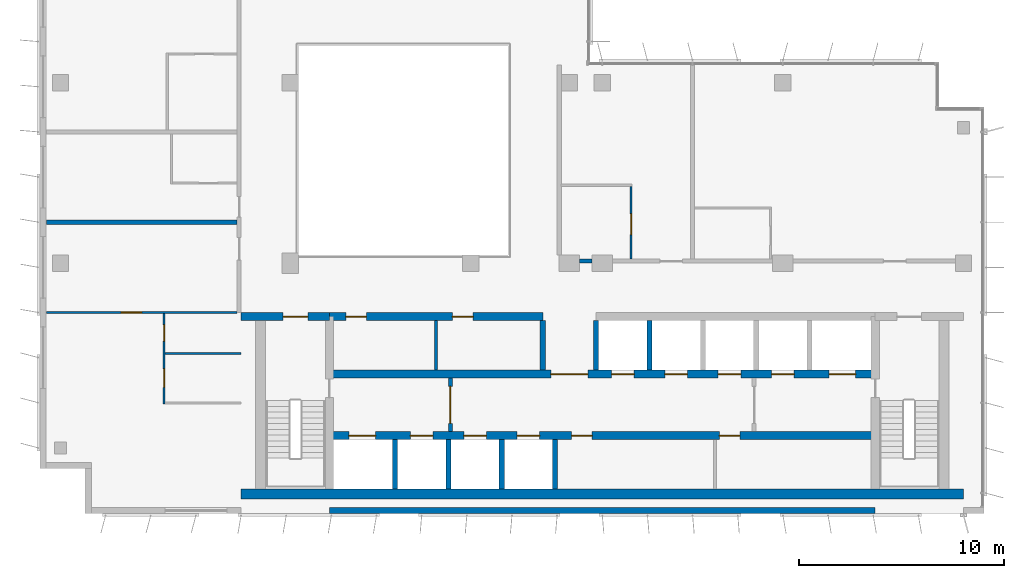
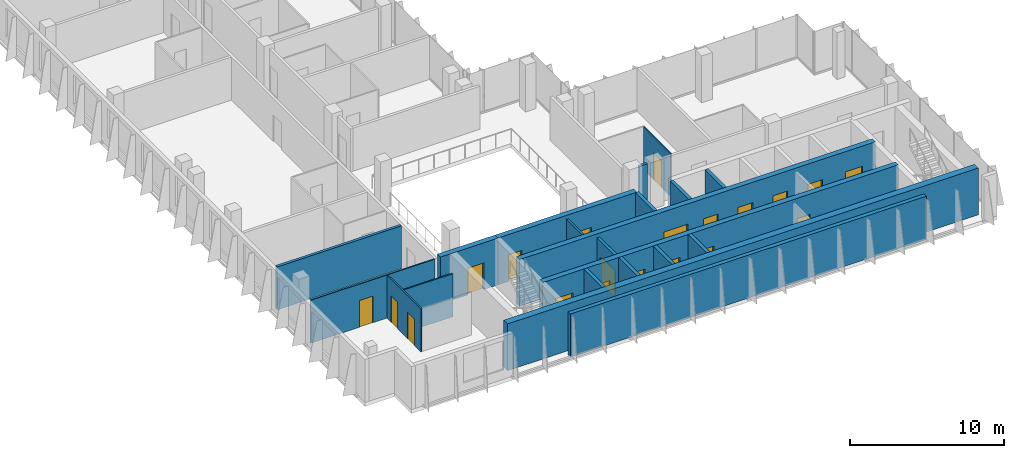
# One storey, part 9 of 15: 21 walls, 20 doors, 20 openings.
"""IFC4 building model written with IfcOpenShell, lengths in metres."""

import ifcopenshell
import ifcopenshell.guid

model = None  # the IFC model being written
_history = None  # IfcOwnerHistory: only IFC2X3 demands one
_inside = {}  # id of a spatial element -> (the spatial element, [elements in it])
_under = {}  # id of a project, library or spatial element -> (it, [spatial elements below it])
_declared = {}  # id of a project -> (the project, [libraries it declares])
_typed = {}  # id of a type object -> (the type object, [elements of that type])
_made_of = {}  # id of a material, layer set ... -> (it, [elements and type objects made of it])


def new_model(schema):
    """Start an empty IFC model of exactly this schema.

    Asked for "IFC4X3", IfcOpenShell would pick the latest addendum, in which some entities
    have other attributes; the version numbers below select the first issue.
    IFC2X3 requires an IfcOwnerHistory on every rooted entity: one is made here for all.
    """
    global model, _history
    if schema == "IFC4X3":
        model = ifcopenshell.file(schema_version=(4, 3, 0, 0))
    else:
        model = ifcopenshell.file(schema=schema)
    _inside.clear()
    _under.clear()
    _declared.clear()
    _typed.clear()
    _made_of.clear()
    _history = None
    if model.schema == "IFC2X3":
        org = make("IfcOrganization", Name="unknown")
        user = make(
            "IfcPersonAndOrganization",
            ThePerson=make("IfcPerson", FamilyName="unknown"),
            TheOrganization=org,
        )
        app = make(
            "IfcApplication",
            ApplicationDeveloper=org,
            Version="unknown",
            ApplicationFullName="unknown",
            ApplicationIdentifier="unknown",
        )
        _history = make(
            "IfcOwnerHistory",
            OwningUser=user,
            OwningApplication=app,
            ChangeAction="ADDED",
            CreationDate=0,
        )
    return model


def make(cls, **values):
    """One entity of the class cls with the attributes given. An attribute that is None is left unset."""
    return model.create_entity(
        cls, **{name: value for name, value in values.items() if value is not None}
    )


def rooted(cls, **values):
    """An entity with a GlobalId (a new one), such as an element, a storey or a relation."""
    return make(cls, GlobalId=ifcopenshell.guid.new(), OwnerHistory=_history, **values)


def si_unit(unit_type, name, prefix=None):
    """IfcSIUnit, for example si_unit("LENGTHUNIT", "METRE", prefix="MILLI")."""
    return make("IfcSIUnit", UnitType=unit_type, Prefix=prefix, Name=name)


def assignment(units):
    """IfcUnitAssignment: the units of a project."""
    return None if units is None else make("IfcUnitAssignment", Units=units)


def point(xyz):
    """IfcCartesianPoint."""
    return None if xyz is None else make("IfcCartesianPoint", Coordinates=xyz)


def direction(xyz):
    """IfcDirection."""
    return None if xyz is None else make("IfcDirection", DirectionRatios=xyz)


def frame(location, z_axis=None, x_axis=None):
    """IfcAxis2Placement3D, a coordinate frame: its origin and axes. An axis left out is left unset."""
    return make(
        "IfcAxis2Placement3D",
        Location=point(location),
        Axis=direction(z_axis),
        RefDirection=direction(x_axis),
    )


def frame_2d(location, x_axis=None):
    """IfcAxis2Placement2D, a coordinate frame in the plane: its origin and x axis."""
    return make(
        "IfcAxis2Placement2D", Location=point(location), RefDirection=direction(x_axis)
    )


def origin():
    """The frame at (0, 0, 0) with its axes left unset."""
    return frame((0.0, 0.0, 0.0))


def place(relative_to, where):
    """IfcLocalPlacement: puts the frame where relative to a parent placement (None: the world)."""
    return make(
        "IfcLocalPlacement", PlacementRelTo=relative_to, RelativePlacement=where
    )


def context(
    kind, dimensions, precision=None, world=None, true_north=None, identifier=None
):
    """IfcGeometricRepresentationContext, for example the 3D "Model" context."""
    return make(
        "IfcGeometricRepresentationContext",
        ContextIdentifier=identifier,
        ContextType=kind,
        CoordinateSpaceDimension=dimensions,
        Precision=precision,
        WorldCoordinateSystem=world,
        TrueNorth=true_north,
    )


def subcontext(parent, identifier, kind, view, scale=None):
    """IfcGeometricRepresentationSubContext, for example "Body" below "Model"."""
    return make(
        "IfcGeometricRepresentationSubContext",
        ContextIdentifier=identifier,
        ContextType=kind,
        ParentContext=parent,
        TargetScale=scale,
        TargetView=view,
    )


def project(units=None, contexts=None):
    """IfcProject with its units and contexts."""
    return rooted(
        "IfcProject",
        Name="project",
        RepresentationContexts=contexts,
        UnitsInContext=assignment(units),
    )


def spatial(cls, under=None, at=None, **own):
    """A site, building, storey or space (cls), placed at a placement, below another one or the project."""
    s = rooted(cls, ObjectPlacement=at, **own)
    if under is not None:
        _under.setdefault(under.id(), (under, []))[1].append(s)
    return s


def profile(cls, at=None, kind="AREA", **sizes):
    """A parametric profile (cls). Its sizes go by their IFC names, for example OverallWidth=200.0."""
    return make(cls, ProfileType=kind, Position=at, **sizes)


def rectangle(**sizes):
    """IfcRectangleProfileDef."""
    return profile("IfcRectangleProfileDef", **sizes)


def extrude(swept, where, along, depth):
    """IfcExtrudedAreaSolid: the profile swept, set in the frame where, extruded along a direction by depth."""
    return make(
        "IfcExtrudedAreaSolid",
        SweptArea=swept,
        Position=where,
        ExtrudedDirection=direction(along),
        Depth=depth,
    )


def shape(context_of_items, identifier, shape_type, items):
    """IfcShapeRepresentation: the items that make up one representation, for example the "Body"."""
    return make(
        "IfcShapeRepresentation",
        ContextOfItems=context_of_items,
        RepresentationIdentifier=identifier,
        RepresentationType=shape_type,
        Items=items,
    )


def material(Name=None, Category=None):
    """IfcMaterial."""
    return make("IfcMaterial", Name=Name, Category=Category)


def layer(
    of_material, thickness, ventilated=None, Name=None, Category=None, Priority=None
):
    """IfcMaterialLayer: one layer of a wall or slab, of a material (None: an air gap)."""
    return make(
        "IfcMaterialLayer",
        Material=of_material,
        LayerThickness=thickness,
        IsVentilated=ventilated,
        Name=Name,
        Category=Category,
        Priority=Priority,
    )


def layer_set(layers, Name=None):
    """IfcMaterialLayerSet."""
    return make("IfcMaterialLayerSet", MaterialLayers=layers, LayerSetName=Name)


def made_of(thing, what):
    """Note that an element or type object is made of a material, layer set ...; save() writes the relation."""
    if what is not None:
        _made_of.setdefault(what.id(), (what, []))[1].append(thing)
    return thing


def type_object(cls, material=None, **own):
    """A type object (cls), such as IfcWallType, which elements share."""
    return made_of(rooted(cls, **own), material)


def element(
    cls,
    number,
    at=None,
    inside=None,
    cuts=None,
    type_object=None,
    material=None,
    context=None,
    identifier="Body",
    shape_type=None,
    held_by="IfcProductDefinitionShape",
    body=None,
    shapes=None,
    **own,
):
    """One element of the class cls, such as IfcWall. Its Tag is "e" and its number.

    at: its placement. inside: the storey or other place that contains it. cuts: it is an
    opening in that element (IfcRelVoidsElement). A single representation is given by context,
    identifier, shape_type and body (its items); several are given by shapes. held_by: the class
    of the entity that holds the representations. save() writes the other relations.
    """
    e = rooted(cls, Tag="e%d" % number, ObjectPlacement=at, **own)
    if body is not None:
        shapes = [shape(context, identifier, shape_type, body)]
    if shapes is not None:
        e.Representation = make(held_by, Representations=shapes)
    if inside is not None:
        _inside.setdefault(inside.id(), (inside, []))[1].append(e)
    if cuts is not None:
        rooted(
            "IfcRelVoidsElement", RelatingBuildingElement=cuts, RelatedOpeningElement=e
        )
    if type_object is not None:
        _typed.setdefault(type_object.id(), (type_object, []))[1].append(e)
    return made_of(e, material)


def fill(opening, filler):
    """IfcRelFillsElement: the door or window that sits in an opening."""
    return rooted(
        "IfcRelFillsElement",
        RelatingOpeningElement=opening,
        RelatedBuildingElement=filler,
    )


def aggregate(whole, parts):
    """IfcRelAggregates: a whole, such as a stair, and the parts it consists of."""
    return rooted("IfcRelAggregates", RelatingObject=whole, RelatedObjects=parts)


def save(model, path):
    """Write the relations noted so far, then the file.

    IfcRelAggregates (storeys below a building ...), IfcRelContainedInSpatialStructure (elements
    in a storey), IfcRelDefinesByType, IfcRelAssociatesMaterial and IfcRelDeclares: one each for
    every whole, place, type object, material and project.
    """
    for whole, parts in _under.values():
        aggregate(whole, parts)
    for where, things in _inside.values():
        rooted(
            "IfcRelContainedInSpatialStructure",
            RelatedElements=things,
            RelatingStructure=where,
        )
    for kind, things in _typed.values():
        rooted("IfcRelDefinesByType", RelatedObjects=things, RelatingType=kind)
    for what, things in _made_of.values():
        rooted("IfcRelAssociatesMaterial", RelatedObjects=things, RelatingMaterial=what)
    for by, libraries in _declared.values():
        rooted("IfcRelDeclares", RelatingContext=by, RelatedDefinitions=libraries)
    model.write(path)


model = new_model("IFC4")

# Units and contexts
model_context = context("Model", 3, precision=1e-05, world=origin(), true_north=direction((0.0, 1.0)))
body_context = subcontext(model_context, "Body", "Model", "MODEL_VIEW")
ifc_project = project(units=[si_unit("LENGTHUNIT", "METRE"), si_unit("AREAUNIT", "SQUARE_METRE"), si_unit("VOLUMEUNIT", "CUBIC_METRE"), si_unit("PLANEANGLEUNIT", "RADIAN"), si_unit("MASSUNIT", "GRAM", prefix="KILO")], contexts=[model_context])

# Site, building, storey
site_placement = place(None, origin())
site = spatial("IfcSite", under=ifc_project, at=site_placement, CompositionType="ELEMENT")
building_placement = place(site_placement, origin())
building = spatial("IfcBuilding", under=site, at=building_placement, Name="Kemantara Hotel Tower", CompositionType="ELEMENT")
storey_placement = place(building_placement, frame((0.0, 0.0, 230.199951171875)))
storey = spatial("IfcBuildingStorey", under=building, at=storey_placement, Name="L57", CompositionType="ELEMENT", Elevation=230.199951171875)

# Walls
ifc_material_1 = material(Name="Bronze anodised aluminium cladding on insulated steel stud wall", Category="steel")
ifc_layer_1 = layer(ifc_material_1, 0.300048828125)
ifc_layer_set_1 = layer_set([ifc_layer_1], Name="Bronze anodised aluminium cladding on insulated steel stud wall")
wall_type_1 = type_object("IfcWallType", Name="BRONZE METAL-CLAD EXTERNAL WALL 300", PredefinedType="STANDARD", material=ifc_layer_set_1)
wall_1_placement = place(storey_placement, frame((14.10009765625, 0.14990234375, 0.0), z_axis=(0.0, 0.0, 1.0), x_axis=(1.0, 0.0, 0.0)))
element("IfcWall", 1, at=wall_1_placement, inside=storey, type_object=wall_type_1, Name="EXTERNAL WALL L57 T4-R08-2", PredefinedType="STANDARD", context=body_context, shape_type="SweptSolid", body=[
    extrude(rectangle(XDim=26.599853515625, YDim=0.300048828125, at=frame_2d((13.2998046875, 0.0))), origin(), (0.0, 0.0, 1.0), 3.400146484375),
])
ifc_material_2 = material(Name="Concrete fc 60 MPa", Category="concrete")
ifc_layer_2 = layer(ifc_material_2, 0.25)
ifc_layer_set_2 = layer_set([ifc_layer_2], Name="Concrete fc 60 MPa")
wall_type_2 = type_object("IfcWallType", Name="CORE WALL 250 FC60", PredefinedType="SHEAR", material=ifc_layer_set_2)
for number, where, z_axis, x_axis, name in (
    (2, (17.300048828125, 1.199951171875, 0.0), (0.0, 0.0, 1.0), (0.0, 1.0, 0.0), "CORE WALL CW-DS17.3"),
    (3, (19.89990234375, 1.199951171875, 0.0), (0.0, 0.0, 1.0), (0.0, 1.0, 0.0), "CORE WALL CW-DS19.9"),
    (4, (22.5, 1.199951171875, 0.0), (0.0, 0.0, 1.0), (0.0, 1.0, 0.0), "CORE WALL CW-DS22.5"),
    (5, (25.10009765625, 1.199951171875, 0.0), (0.0, 0.0, 1.0), (0.0, 1.0, 0.0), "CORE WALL CW-DS25.1"),
):
    element("IfcWall", number, at=place(storey_placement, frame(where, z_axis=z_axis, x_axis=x_axis)), inside=storey, type_object=wall_type_2, Name=name, PredefinedType="SHEAR", context=body_context, shape_type="SweptSolid", body=[
        extrude(rectangle(XDim=2.400146484375, YDim=0.25, at=frame_2d((1.2001953125, 0.0))), origin(), (0.0, 0.0, 1.0), 3.699951171875),
    ])
for number, where, z_axis, x_axis, name in (
    (6, (24.5, 7.0, 0.0), (0.0, 0.0, 1.0), (0.0, 1.0, 0.0), "CORE WALL CW-DN24.5"),
    (7, (27.10009765625, 7.0, 0.0), (0.0, 0.0, 1.0), (0.0, 1.0, 0.0), "CORE WALL CW-DN27.1"),
    (8, (29.699951171875, 7.0, 0.0), (0.0, 0.0, 1.0), (0.0, 1.0, 0.0), "CORE WALL CW-DN29.7"),
):
    element("IfcWall", number, at=place(storey_placement, frame(where, z_axis=z_axis, x_axis=x_axis)), inside=storey, type_object=wall_type_2, Name=name, PredefinedType="SHEAR", context=body_context, shape_type="SweptSolid", body=[
        extrude(rectangle(XDim=2.39990234375, YDim=0.25, at=frame_2d((1.199951171875, 0.0))), origin(), (0.0, 0.0, 1.0), 3.699951171875),
    ])

# Wall, opening, door
ifc_layer_3 = layer(ifc_material_2, 0.39990234375)
ifc_layer_set_3 = layer_set([ifc_layer_3], Name="Concrete fc 60 MPa")
wall_type_3 = type_object("IfcWallType", Name="CORE WALL 400 FC60", PredefinedType="SHEAR", material=ifc_layer_set_3)
wall_2_placement = place(storey_placement, frame((9.800048828125, 9.60009765625, 0.0), z_axis=(0.0, 0.0, 1.0), x_axis=(1.0, 0.0, 0.0)))
wall_2 = element("IfcWall", 9, at=wall_2_placement, inside=storey, type_object=wall_type_3, Name="CORE WALL CW-N1", PredefinedType="SHEAR", context=body_context, shape_type="SweptSolid", body=[
    extrude(rectangle(XDim=4.300048828125, YDim=0.39990234375, at=frame_2d((2.14990234375, 0.0))), origin(), (0.0, 0.0, 1.0), 3.699951171875),
])
opening_1_placement = place(wall_2_placement, frame((2.050048828125, 0.0, 0.0)))
opening_1 = element("IfcOpeningElement", 10, at=opening_1_placement, cuts=wall_2, Name="Opening C35-ST1-C", PredefinedType="OPENING", context=body_context, shape_type="SweptSolid", body=[
    extrude(rectangle(XDim=1.199951171875, YDim=2.10009765625, at=frame_2d((0.60009765625, 1.050048828125))), frame((0.0, 0.2099609375, 0.0), z_axis=(0.0, -1.0, 0.0), x_axis=(1.0, 0.0, 0.0)), (0.0, 0.0, 1.0), 0.419921875),
])
ifc_material_3 = material(Name="Steel fire door", Category="steel")
door_type_1 = type_object("IfcDoorType", Name="Fire door FD90 1200 x 2100", OperationType="NOTDEFINED", PredefinedType="DOOR", material=ifc_material_3)
door_1_placement = place(opening_1_placement, frame((1.199951171875, 0.0, 0.0), z_axis=(0.0, 0.0, 1.0), x_axis=(-1.0, 0.0, 0.0)))
door_1 = element("IfcDoor", 11, at=door_1_placement, inside=storey, type_object=door_type_1, Name="Stair ST1 door to corridor", OperationType="SINGLE_SWING_LEFT", OverallHeight=2.10009765625, OverallWidth=1.199951171875, PredefinedType="DOOR", context=body_context, shape_type="SweptSolid", body=[
    extrude(rectangle(XDim=1.199951171875, YDim=2.10009765625, at=frame_2d((0.60009765625, 1.050048828125))), frame((0.0, 0.02490234375, 0.0), z_axis=(0.0, -1.0, 0.0), x_axis=(1.0, 0.0, 0.0)), (0.0, 0.0, 1.0), 0.050048828125),
])
fill(opening_1, door_1)

# Wall, openings, doors
wall_3_placement = place(storey_placement, frame((14.10009765625, 9.60009765625, 0.0), z_axis=(0.0, 0.0, 1.0), x_axis=(1.0, 0.0, 0.0)))
wall_3 = element("IfcWall", 12, at=wall_3_placement, inside=storey, type_object=wall_type_3, Name="CORE WALL CW-NN1", PredefinedType="SHEAR", context=body_context, shape_type="SweptSolid", body=[
    extrude(rectangle(XDim=10.39990234375, YDim=0.39990234375, at=frame_2d((5.199951171875, 0.0))), origin(), (0.0, 0.0, 1.0), 3.699951171875),
])
opening_2_placement = place(wall_3_placement, frame((0.800048828125, 0.0, 0.0)))
opening_2 = element("IfcOpeningElement", 13, at=opening_2_placement, cuts=wall_3, Name="Opening C35-R-NW1", PredefinedType="OPENING", context=body_context, shape_type="SweptSolid", body=[
    extrude(rectangle(XDim=1.0, YDim=2.10009765625, at=frame_2d((0.5, 1.050048828125))), frame((0.0, 0.2099609375, 0.0), z_axis=(0.0, -1.0, 0.0), x_axis=(1.0, 0.0, 0.0)), (0.0, 0.0, 1.0), 0.419921875),
])
opening_3_placement = place(wall_3_placement, frame((6.0, 0.0, 0.0)))
opening_3 = element("IfcOpeningElement", 14, at=opening_3_placement, cuts=wall_3, Name="Opening C35-R-NW2", PredefinedType="OPENING", context=body_context, shape_type="SweptSolid", body=[
    extrude(rectangle(XDim=1.0, YDim=2.10009765625, at=frame_2d((0.5, 1.050048828125))), frame((0.0, 0.2099609375, 0.0), z_axis=(0.0, -1.0, 0.0), x_axis=(1.0, 0.0, 0.0)), (0.0, 0.0, 1.0), 0.419921875),
])
door_type_2 = type_object("IfcDoorType", Name="Fire door FD30S 1000 x 2100", OperationType="NOTDEFINED", PredefinedType="DOOR", material=ifc_material_3)
door_2_placement = place(opening_2_placement, frame((1.0, 0.0, 0.0), z_axis=(0.0, 0.0, 1.0), x_axis=(-1.0, 0.0, 0.0)))
door_2 = element("IfcDoor", 15, at=door_2_placement, inside=storey, type_object=door_type_2, Name="Housekeeping Store door", OperationType="SINGLE_SWING_RIGHT", OverallHeight=2.10009765625, OverallWidth=1.0, PredefinedType="DOOR", context=body_context, shape_type="SweptSolid", body=[
    extrude(rectangle(XDim=1.0, YDim=2.10009765625, at=frame_2d((0.5, 1.050048828125))), frame((0.0, 0.02490234375, 0.0), z_axis=(0.0, -1.0, 0.0), x_axis=(1.0, 0.0, 0.0)), (0.0, 0.0, 1.0), 0.050048828125),
])
fill(opening_2, door_2)
door_3_placement = place(opening_3_placement, frame((1.0, 0.0, 0.0), z_axis=(0.0, 0.0, 1.0), x_axis=(-1.0, 0.0, 0.0)))
door_3 = element("IfcDoor", 16, at=door_3_placement, inside=storey, type_object=door_type_2, Name="Staff Lounge door", OperationType="SINGLE_SWING_LEFT", OverallHeight=2.10009765625, OverallWidth=1.0, PredefinedType="DOOR", context=body_context, shape_type="SweptSolid", body=[
    extrude(rectangle(XDim=1.0, YDim=2.10009765625, at=frame_2d((0.5, 1.050048828125))), frame((0.0, 0.02490234375, 0.0), z_axis=(0.0, -1.0, 0.0), x_axis=(1.0, 0.0, 0.0)), (0.0, 0.0, 1.0), 0.050048828125),
])
fill(opening_3, door_3)

wall_4_placement = place(storey_placement, frame((14.10009765625, 3.800048828125, 0.0), z_axis=(0.0, 0.0, 1.0), x_axis=(1.0, 0.0, 0.0)))
wall_4 = element("IfcWall", 17, at=wall_4_placement, inside=storey, type_object=wall_type_3, Name="CORE WALL CW-L1", PredefinedType="SHEAR", context=body_context, shape_type="SweptSolid", body=[
    extrude(rectangle(XDim=26.599853515625, YDim=0.39990234375, at=frame_2d((13.2998046875, 0.0))), origin(), (0.0, 0.0, 1.0), 3.699951171875),
])
opening_4_placement = place(wall_4_placement, frame((0.949951171875, 0.0, 0.0)))
opening_4 = element("IfcOpeningElement", 18, at=opening_4_placement, cuts=wall_4, Name="Opening C35-LD-FF1", PredefinedType="OPENING", context=body_context, shape_type="SweptSolid", body=[
    extrude(rectangle(XDim=1.300048828125, YDim=2.10009765625, at=frame_2d((0.64990234375, 1.050048828125))), frame((0.0, 0.2099609375, 0.0), z_axis=(0.0, -1.0, 0.0), x_axis=(1.0, 0.0, 0.0)), (0.0, 0.0, 1.0), 0.419921875),
])
opening_5_placement = place(wall_4_placement, frame((3.949951171875, 0.0, 0.0)))
opening_5 = element("IfcOpeningElement", 19, at=opening_5_placement, cuts=wall_4, Name="Opening C35-LD-SV1", PredefinedType="OPENING", context=body_context, shape_type="SweptSolid", body=[
    extrude(rectangle(XDim=1.10009765625, YDim=2.10009765625, at=frame_2d((0.550048828125, 1.050048828125))), frame((0.0, 0.2099609375, 0.0), z_axis=(0.0, -1.0, 0.0), x_axis=(1.0, 0.0, 0.0)), (0.0, 0.0, 1.0), 0.419921875),
])
opening_6_placement = place(wall_4_placement, frame((6.550048828125, 0.0, 0.0)))
opening_6 = element("IfcOpeningElement", 20, at=opening_6_placement, cuts=wall_4, Name="Opening C35-LD-SV2", PredefinedType="OPENING", context=body_context, shape_type="SweptSolid", body=[
    extrude(rectangle(XDim=1.10009765625, YDim=2.10009765625, at=frame_2d((0.550048828125, 1.050048828125))), frame((0.0, 0.2099609375, 0.0), z_axis=(0.0, -1.0, 0.0), x_axis=(1.0, 0.0, 0.0)), (0.0, 0.0, 1.0), 0.419921875),
])
opening_7_placement = place(wall_4_placement, frame((9.14990234375, 0.0, 0.0)))
opening_7 = element("IfcOpeningElement", 21, at=opening_7_placement, cuts=wall_4, Name="Opening C35-LD-SV3", PredefinedType="OPENING", context=body_context, shape_type="SweptSolid", body=[
    extrude(rectangle(XDim=1.10009765625, YDim=2.10009765625, at=frame_2d((0.550048828125, 1.050048828125))), frame((0.0, 0.2099609375, 0.0), z_axis=(0.0, -1.0, 0.0), x_axis=(1.0, 0.0, 0.0)), (0.0, 0.0, 1.0), 0.419921875),
])
opening_8_placement = place(wall_4_placement, frame((11.800048828125, 0.0, 0.0)))
opening_8 = element("IfcOpeningElement", 22, at=opening_8_placement, cuts=wall_4, Name="Opening C35-R-SM1", PredefinedType="OPENING", context=body_context, shape_type="SweptSolid", body=[
    extrude(rectangle(XDim=1.0, YDim=2.10009765625, at=frame_2d((0.5, 1.050048828125))), frame((0.0, 0.2099609375, 0.0), z_axis=(0.0, -1.0, 0.0), x_axis=(1.0, 0.0, 0.0)), (0.0, 0.0, 1.0), 0.419921875),
])
opening_9_placement = place(wall_4_placement, frame((19.0, 0.0, 0.0)))
opening_9 = element("IfcOpeningElement", 23, at=opening_9_placement, cuts=wall_4, Name="Opening C35-R-SM2", PredefinedType="OPENING", context=body_context, shape_type="SweptSolid", body=[
    extrude(rectangle(XDim=1.0, YDim=2.10009765625, at=frame_2d((0.5, 1.050048828125))), frame((0.0, 0.2099609375, 0.0), z_axis=(0.0, -1.0, 0.0), x_axis=(1.0, 0.0, 0.0)), (0.0, 0.0, 1.0), 0.419921875),
])
door_4_placement = place(opening_8_placement, frame((1.0, 0.0, 0.0), z_axis=(0.0, 0.0, 1.0), x_axis=(-1.0, 0.0, 0.0)))
door_4 = element("IfcDoor", 24, at=door_4_placement, inside=storey, type_object=door_type_2, Name="Luggage Store door", OperationType="SINGLE_SWING_RIGHT", OverallHeight=2.10009765625, OverallWidth=1.0, PredefinedType="DOOR", context=body_context, shape_type="SweptSolid", body=[
    extrude(rectangle(XDim=1.0, YDim=2.10009765625, at=frame_2d((0.5, 1.050048828125))), frame((0.0, 0.02490234375, 0.0), z_axis=(0.0, -1.0, 0.0), x_axis=(1.0, 0.0, 0.0)), (0.0, 0.0, 1.0), 0.050048828125),
])
fill(opening_8, door_4)
door_5_placement = place(opening_9_placement, frame((1.0, 0.0, 0.0), z_axis=(0.0, 0.0, 1.0), x_axis=(-1.0, 0.0, 0.0)))
door_5 = element("IfcDoor", 25, at=door_5_placement, inside=storey, type_object=door_type_2, Name="Guest Pantry door", OperationType="SINGLE_SWING_LEFT", OverallHeight=2.10009765625, OverallWidth=1.0, PredefinedType="DOOR", context=body_context, shape_type="SweptSolid", body=[
    extrude(rectangle(XDim=1.0, YDim=2.10009765625, at=frame_2d((0.5, 1.050048828125))), frame((0.0, 0.02490234375, 0.0), z_axis=(0.0, -1.0, 0.0), x_axis=(1.0, 0.0, 0.0)), (0.0, 0.0, 1.0), 0.050048828125),
])
fill(opening_9, door_5)
ifc_material_4 = material(Name="Stainless steel lift door", Category="steel")
door_type_3 = type_object("IfcDoorType", Name="Lift landing door 1100 x 2100 FD60", OperationType="DOUBLE_DOOR_SLIDING", PredefinedType="DOOR", material=ifc_material_4)
door_6_placement = place(opening_5_placement, origin())
door_6 = element("IfcDoor", 26, at=door_6_placement, inside=storey, type_object=door_type_3, Name="Lift SV1 landing door", OperationType="DOUBLE_DOOR_SLIDING", OverallHeight=2.10009765625, OverallWidth=1.10009765625, PredefinedType="DOOR", context=body_context, shape_type="SweptSolid", body=[
    extrude(rectangle(XDim=1.10009765625, YDim=2.10009765625, at=frame_2d((0.550048828125, 1.050048828125))), frame((0.0, 0.02490234375, 0.0), z_axis=(0.0, -1.0, 0.0), x_axis=(1.0, 0.0, 0.0)), (0.0, 0.0, 1.0), 0.050048828125),
])
fill(opening_5, door_6)
door_7_placement = place(opening_6_placement, origin())
door_7 = element("IfcDoor", 27, at=door_7_placement, inside=storey, type_object=door_type_3, Name="Lift SV2 landing door", OperationType="DOUBLE_DOOR_SLIDING", OverallHeight=2.10009765625, OverallWidth=1.10009765625, PredefinedType="DOOR", context=body_context, shape_type="SweptSolid", body=[
    extrude(rectangle(XDim=1.10009765625, YDim=2.10009765625, at=frame_2d((0.550048828125, 1.050048828125))), frame((0.0, 0.02490234375, 0.0), z_axis=(0.0, -1.0, 0.0), x_axis=(1.0, 0.0, 0.0)), (0.0, 0.0, 1.0), 0.050048828125),
])
fill(opening_6, door_7)
door_8_placement = place(opening_7_placement, origin())
door_8 = element("IfcDoor", 28, at=door_8_placement, inside=storey, type_object=door_type_3, Name="Lift SV3 landing door", OperationType="DOUBLE_DOOR_SLIDING", OverallHeight=2.10009765625, OverallWidth=1.10009765625, PredefinedType="DOOR", context=body_context, shape_type="SweptSolid", body=[
    extrude(rectangle(XDim=1.10009765625, YDim=2.10009765625, at=frame_2d((0.550048828125, 1.050048828125))), frame((0.0, 0.02490234375, 0.0), z_axis=(0.0, -1.0, 0.0), x_axis=(1.0, 0.0, 0.0)), (0.0, 0.0, 1.0), 0.050048828125),
])
fill(opening_7, door_8)
door_type_4 = type_object("IfcDoorType", Name="Lift landing door 1300 x 2100 FD90", OperationType="DOUBLE_DOOR_SLIDING", PredefinedType="DOOR", material=ifc_material_4)
door_9_placement = place(opening_4_placement, origin())
door_9 = element("IfcDoor", 29, at=door_9_placement, inside=storey, type_object=door_type_4, Name="Lift FF1 landing door", OperationType="DOUBLE_DOOR_SLIDING", OverallHeight=2.10009765625, OverallWidth=1.300048828125, PredefinedType="DOOR", context=body_context, shape_type="SweptSolid", body=[
    extrude(rectangle(XDim=1.300048828125, YDim=2.10009765625, at=frame_2d((0.64990234375, 1.050048828125))), frame((0.0, 0.02490234375, 0.0), z_axis=(0.0, -1.0, 0.0), x_axis=(1.0, 0.0, 0.0)), (0.0, 0.0, 1.0), 0.050048828125),
])
fill(opening_4, door_9)

wall_5_placement = place(storey_placement, frame((14.10009765625, 6.800048828125, 0.0), z_axis=(0.0, 0.0, 1.0), x_axis=(1.0, 0.0, 0.0)))
wall_5 = element("IfcWall", 30, at=wall_5_placement, inside=storey, type_object=wall_type_3, Name="CORE WALL CW-L2", PredefinedType="SHEAR", context=body_context, shape_type="SweptSolid", body=[
    extrude(rectangle(XDim=26.599853515625, YDim=0.39990234375, at=frame_2d((13.2998046875, 0.0))), origin(), (0.0, 0.0, 1.0), 3.699951171875),
])
opening_10_placement = place(wall_5_placement, frame((10.800048828125, 0.0, 0.0)))
opening_10 = element("IfcOpeningElement", 31, at=opening_10_placement, cuts=wall_5, Name="Opening C35-VL", PredefinedType="OPENING", context=body_context, shape_type="SweptSolid", body=[
    extrude(rectangle(XDim=1.800048828125, YDim=2.10009765625, at=frame_2d((0.89990234375, 1.050048828125))), frame((0.0, 0.2099609375, 0.0), z_axis=(0.0, -1.0, 0.0), x_axis=(1.0, 0.0, 0.0)), (0.0, 0.0, 1.0), 0.419921875),
])
opening_11_placement = place(wall_5_placement, frame((13.75, 0.0, 0.0)))
opening_11 = element("IfcOpeningElement", 32, at=opening_11_placement, cuts=wall_5, Name="Opening C35-LD-HR1", PredefinedType="OPENING", context=body_context, shape_type="SweptSolid", body=[
    extrude(rectangle(XDim=1.10009765625, YDim=2.10009765625, at=frame_2d((0.550048828125, 1.050048828125))), frame((0.0, 0.2099609375, 0.0), z_axis=(0.0, -1.0, 0.0), x_axis=(1.0, 0.0, 0.0)), (0.0, 0.0, 1.0), 0.419921875),
])
opening_12_placement = place(wall_5_placement, frame((16.35009765625, 0.0, 0.0)))
opening_12 = element("IfcOpeningElement", 33, at=opening_12_placement, cuts=wall_5, Name="Opening C35-LD-HR2", PredefinedType="OPENING", context=body_context, shape_type="SweptSolid", body=[
    extrude(rectangle(XDim=1.10009765625, YDim=2.10009765625, at=frame_2d((0.550048828125, 1.050048828125))), frame((0.0, 0.2099609375, 0.0), z_axis=(0.0, -1.0, 0.0), x_axis=(1.0, 0.0, 0.0)), (0.0, 0.0, 1.0), 0.419921875),
])
opening_13_placement = place(wall_5_placement, frame((18.949951171875, 0.0, 0.0)))
opening_13 = element("IfcOpeningElement", 34, at=opening_13_placement, cuts=wall_5, Name="Opening C35-LD-HR3", PredefinedType="OPENING", context=body_context, shape_type="SweptSolid", body=[
    extrude(rectangle(XDim=1.10009765625, YDim=2.10009765625, at=frame_2d((0.550048828125, 1.050048828125))), frame((0.0, 0.2099609375, 0.0), z_axis=(0.0, -1.0, 0.0), x_axis=(1.0, 0.0, 0.0)), (0.0, 0.0, 1.0), 0.419921875),
])
opening_14_placement = place(wall_5_placement, frame((21.550048828125, 0.0, 0.0)))
opening_14 = element("IfcOpeningElement", 35, at=opening_14_placement, cuts=wall_5, Name="Opening C35-LD-HR4", PredefinedType="OPENING", context=body_context, shape_type="SweptSolid", body=[
    extrude(rectangle(XDim=1.10009765625, YDim=2.10009765625, at=frame_2d((0.550048828125, 1.050048828125))), frame((0.0, 0.2099609375, 0.0), z_axis=(0.0, -1.0, 0.0), x_axis=(1.0, 0.0, 0.0)), (0.0, 0.0, 1.0), 0.419921875),
])
opening_15_placement = place(wall_5_placement, frame((24.35009765625, 0.0, 0.0)))
opening_15 = element("IfcOpeningElement", 36, at=opening_15_placement, cuts=wall_5, Name="Opening C35-LD-FF2", PredefinedType="OPENING", context=body_context, shape_type="SweptSolid", body=[
    extrude(rectangle(XDim=1.300048828125, YDim=2.10009765625, at=frame_2d((0.64990234375, 1.050048828125))), frame((0.0, 0.2099609375, 0.0), z_axis=(0.0, -1.0, 0.0), x_axis=(1.0, 0.0, 0.0)), (0.0, 0.0, 1.0), 0.419921875),
])
door_type_5 = type_object("IfcDoorType", Name="Fire door pair FD60 1800 x 2100", OperationType="DOUBLE_DOOR_SINGLE_SWING", PredefinedType="DOOR", material=ifc_material_3)
door_10_placement = place(opening_10_placement, frame((1.800048828125, 0.0, 0.0), z_axis=(0.0, 0.0, 1.0), x_axis=(-1.0, 0.0, 0.0)))
door_10 = element("IfcDoor", 37, at=door_10_placement, inside=storey, type_object=door_type_5, Name="Lift lobby entry door", OperationType="DOUBLE_DOOR_SINGLE_SWING", OverallHeight=2.10009765625, OverallWidth=1.800048828125, PredefinedType="DOOR", context=body_context, shape_type="SweptSolid", body=[
    extrude(rectangle(XDim=1.800048828125, YDim=2.10009765625, at=frame_2d((0.89990234375, 1.050048828125))), frame((0.0, 0.02490234375, 0.0), z_axis=(0.0, -1.0, 0.0), x_axis=(1.0, 0.0, 0.0)), (0.0, 0.0, 1.0), 0.050048828125),
])
fill(opening_10, door_10)
door_11_placement = place(opening_11_placement, origin())
door_11 = element("IfcDoor", 38, at=door_11_placement, inside=storey, type_object=door_type_3, Name="Lift HR1 landing door", OperationType="DOUBLE_DOOR_SLIDING", OverallHeight=2.10009765625, OverallWidth=1.10009765625, PredefinedType="DOOR", context=body_context, shape_type="SweptSolid", body=[
    extrude(rectangle(XDim=1.10009765625, YDim=2.10009765625, at=frame_2d((0.550048828125, 1.050048828125))), frame((0.0, 0.02490234375, 0.0), z_axis=(0.0, -1.0, 0.0), x_axis=(1.0, 0.0, 0.0)), (0.0, 0.0, 1.0), 0.050048828125),
])
fill(opening_11, door_11)
door_12_placement = place(opening_12_placement, origin())
door_12 = element("IfcDoor", 39, at=door_12_placement, inside=storey, type_object=door_type_3, Name="Lift HR2 landing door", OperationType="DOUBLE_DOOR_SLIDING", OverallHeight=2.10009765625, OverallWidth=1.10009765625, PredefinedType="DOOR", context=body_context, shape_type="SweptSolid", body=[
    extrude(rectangle(XDim=1.10009765625, YDim=2.10009765625, at=frame_2d((0.550048828125, 1.050048828125))), frame((0.0, 0.02490234375, 0.0), z_axis=(0.0, -1.0, 0.0), x_axis=(1.0, 0.0, 0.0)), (0.0, 0.0, 1.0), 0.050048828125),
])
fill(opening_12, door_12)
door_13_placement = place(opening_13_placement, origin())
door_13 = element("IfcDoor", 40, at=door_13_placement, inside=storey, type_object=door_type_3, Name="Lift HR3 landing door", OperationType="DOUBLE_DOOR_SLIDING", OverallHeight=2.10009765625, OverallWidth=1.10009765625, PredefinedType="DOOR", context=body_context, shape_type="SweptSolid", body=[
    extrude(rectangle(XDim=1.10009765625, YDim=2.10009765625, at=frame_2d((0.550048828125, 1.050048828125))), frame((0.0, 0.02490234375, 0.0), z_axis=(0.0, -1.0, 0.0), x_axis=(1.0, 0.0, 0.0)), (0.0, 0.0, 1.0), 0.050048828125),
])
fill(opening_13, door_13)
door_14_placement = place(opening_14_placement, origin())
door_14 = element("IfcDoor", 41, at=door_14_placement, inside=storey, type_object=door_type_3, Name="Lift HR4 landing door", OperationType="DOUBLE_DOOR_SLIDING", OverallHeight=2.10009765625, OverallWidth=1.10009765625, PredefinedType="DOOR", context=body_context, shape_type="SweptSolid", body=[
    extrude(rectangle(XDim=1.10009765625, YDim=2.10009765625, at=frame_2d((0.550048828125, 1.050048828125))), frame((0.0, 0.02490234375, 0.0), z_axis=(0.0, -1.0, 0.0), x_axis=(1.0, 0.0, 0.0)), (0.0, 0.0, 1.0), 0.050048828125),
])
fill(opening_14, door_14)
door_15_placement = place(opening_15_placement, origin())
door_15 = element("IfcDoor", 42, at=door_15_placement, inside=storey, type_object=door_type_4, Name="Lift FF2 landing door", OperationType="DOUBLE_DOOR_SLIDING", OverallHeight=2.10009765625, OverallWidth=1.300048828125, PredefinedType="DOOR", context=body_context, shape_type="SweptSolid", body=[
    extrude(rectangle(XDim=1.300048828125, YDim=2.10009765625, at=frame_2d((0.64990234375, 1.050048828125))), frame((0.0, 0.02490234375, 0.0), z_axis=(0.0, -1.0, 0.0), x_axis=(1.0, 0.0, 0.0)), (0.0, 0.0, 1.0), 0.050048828125),
])
fill(opening_15, door_15)

# Walls
ifc_layer_4 = layer(ifc_material_2, 0.5)
ifc_layer_set_4 = layer_set([ifc_layer_4], Name="Concrete fc 60 MPa")
wall_type_4 = type_object("IfcWallType", Name="CORE WALL 500 FC60", PredefinedType="SHEAR", material=ifc_layer_set_4)
wall_6_placement = place(storey_placement, frame((9.800048828125, 0.949951171875, 0.0), z_axis=(0.0, 0.0, 1.0), x_axis=(1.0, 0.0, 0.0)))
element("IfcWall", 43, at=wall_6_placement, inside=storey, type_object=wall_type_4, Name="CORE WALL CW-S", PredefinedType="SHEAR", context=body_context, shape_type="SweptSolid", body=[
    extrude(rectangle(XDim=35.199951171875, YDim=0.5, at=frame_2d((17.60009765625, 0.0))), origin(), (0.0, 0.0, 1.0), 3.699951171875),
])
ifc_material_5 = material(Name="Gypsum board partition, steel studs and mineral wool, 200 mm", Category="steel")
ifc_layer_5 = layer(ifc_material_5, 0.199951171875)
ifc_layer_set_5 = layer_set([ifc_layer_5], Name="Gypsum board partition, steel studs and mineral wool, 200 mm")
wall_type_5 = type_object("IfcWallType", Name="CORRIDOR WALL 200", PredefinedType="PARTITIONING", material=ifc_layer_set_5)
wall_7_placement = place(storey_placement, frame((26.300048828125, 12.300048828125, 0.0), z_axis=(0.0, 0.0, 1.0), x_axis=(1.0, 0.0, 0.0)))
element("IfcWall", 44, at=wall_7_placement, inside=storey, type_object=wall_type_5, Name="CORRIDOR WALL 200 001", PredefinedType="PARTITIONING", context=body_context, shape_type="SweptSolid", body=[
    extrude(rectangle(XDim=0.599853515625, YDim=0.199951171875, at=frame_2d((0.2998046875, 0.0))), origin(), (0.0, 0.0, 1.0), 3.400146484375),
])
ifc_layer_6 = layer(ifc_material_5, 0.199951171875)
ifc_layer_set_6 = layer_set([ifc_layer_6], Name="Gypsum board partition, steel studs and mineral wool, 200 mm")
wall_type_6 = type_object("IfcWallType", Name="GUEST ROOM PARTY WALL 200", PredefinedType="PARTITIONING", material=ifc_layer_set_6)
wall_8_placement = place(storey_placement, frame((0.31005859375, 14.199951171875, 0.0), z_axis=(0.0, 0.0, 1.0), x_axis=(1.0, 0.0, 0.0)))
element("IfcWall", 45, at=wall_8_placement, inside=storey, type_object=wall_type_6, Name="GUEST ROOM PARTY WALL 200 008", PredefinedType="PARTITIONING", context=body_context, shape_type="SweptSolid", body=[
    extrude(rectangle(XDim=9.2900390625, YDim=0.199951171875, at=frame_2d((4.64501953125, 0.0))), origin(), (0.0, 0.0, 1.0), 3.400146484375),
])
ifc_material_6 = material(Name="Gypsum board partition")
ifc_layer_7 = layer(ifc_material_6, 0.14990234375)
ifc_layer_set_7 = layer_set([ifc_layer_7], Name="Gypsum board partition")
wall_type_7 = type_object("IfcWallType", Name="Gypsum board partition 150 mm", PredefinedType="PARTITIONING", material=ifc_layer_set_7)
wall_9_placement = place(storey_placement, frame((19.300048828125, 7.0, 0.0), z_axis=(0.0, 0.0, 1.0), x_axis=(0.0, 1.0, 0.0)))
element("IfcWall", 46, at=wall_9_placement, inside=storey, type_object=wall_type_7, Name="Core room partition", PredefinedType="PARTITIONING", context=body_context, shape_type="SweptSolid", body=[
    extrude(rectangle(XDim=2.39990234375, YDim=0.14990234375, at=frame_2d((1.199951171875, 0.0))), origin(), (0.0, 0.0, 1.0), 3.400146484375),
])

# Wall, opening, door
ifc_material_7 = material(Name="Gypsum board shaft wall")
ifc_layer_8 = layer(ifc_material_7, 0.199951171875)
ifc_layer_set_8 = layer_set([ifc_layer_8], Name="Gypsum board shaft wall")
wall_type_8 = type_object("IfcWallType", Name="Gypsum board shaft wall 200 mm", PredefinedType="PARTITIONING", material=ifc_layer_set_8)
wall_10_placement = place(storey_placement, frame((20.0, 4.0, 0.0), z_axis=(0.0, 0.0, 1.0), x_axis=(0.0, 1.0, 0.0)))
wall_10 = element("IfcWall", 47, at=wall_10_placement, inside=storey, type_object=wall_type_8, Name="Firefighting lobby partition west", PredefinedType="PARTITIONING", context=body_context, shape_type="SweptSolid", body=[
    extrude(rectangle(XDim=2.60009765625, YDim=0.199951171875, at=frame_2d((1.300048828125, 0.0))), origin(), (0.0, 0.0, 1.0), 3.400146484375),
])
opening_16_placement = place(wall_10_placement, frame((0.39990234375, 0.0, 0.0)))
opening_16 = element("IfcOpeningElement", 48, at=opening_16_placement, cuts=wall_10, Name="Opening C35-FFW", PredefinedType="OPENING", context=body_context, shape_type="SweptSolid", body=[
    extrude(rectangle(XDim=1.800048828125, YDim=2.10009765625, at=frame_2d((0.89990234375, 1.050048828125))), frame((0.0, 0.10986328125, 0.0), z_axis=(0.0, -1.0, 0.0), x_axis=(1.0, 0.0, 0.0)), (0.0, 0.0, 1.0), 0.219970703125),
])
door_16_placement = place(opening_16_placement, origin())
door_16 = element("IfcDoor", 49, at=door_16_placement, inside=storey, type_object=door_type_5, Name="Firefighting lobby door west", OperationType="DOUBLE_DOOR_SINGLE_SWING", OverallHeight=2.10009765625, OverallWidth=1.800048828125, PredefinedType="DOOR", context=body_context, shape_type="SweptSolid", body=[
    extrude(rectangle(XDim=1.800048828125, YDim=2.10009765625, at=frame_2d((0.89990234375, 1.050048828125))), frame((0.0, 0.02490234375, 0.0), z_axis=(0.0, -1.0, 0.0), x_axis=(1.0, 0.0, 0.0)), (0.0, 0.0, 1.0), 0.050048828125),
])
fill(opening_16, door_16)

ifc_material_8 = material(Name="Gypsum board partition on steel studs, 100 mm", Category="steel")
ifc_layer_9 = layer(ifc_material_8, 0.10009765625)
ifc_layer_set_9 = layer_set([ifc_layer_9], Name="Gypsum board partition on steel studs, 100 mm")
wall_type_9 = type_object("IfcWallType", Name="ROOM PARTITION 100", PredefinedType="PARTITIONING", material=ifc_layer_set_9)
wall_11_placement = place(storey_placement, frame((28.800048828125, 12.39990234375, 0.0), z_axis=(0.0, 0.0, 1.0), x_axis=(0.0, 1.0, 0.0)))
wall_11 = element("IfcWall", 50, at=wall_11_placement, inside=storey, type_object=wall_type_9, Name="ROOM PARTITION 100 024", PredefinedType="PARTITIONING", context=body_context, shape_type="SweptSolid", body=[
    extrude(rectangle(XDim=3.550048828125, YDim=0.10009765625, at=frame_2d((1.77490234375, 0.0))), origin(), (0.0, 0.0, 1.0), 3.400146484375),
])
opening_17_placement = place(wall_11_placement, frame((1.199951171875, 0.0, 0.0)))
opening_17 = element("IfcOpeningElement", 51, at=opening_17_placement, cuts=wall_11, Name="Opening F28-002", PredefinedType="OPENING", context=body_context, shape_type="SweptSolid", body=[
    extrude(rectangle(XDim=1.0, YDim=2.10009765625, at=frame_2d((0.5, 1.050048828125))), frame((0.0, 0.06005859375, 0.0), z_axis=(0.0, -1.0, 0.0), x_axis=(1.0, 0.0, 0.0)), (0.0, 0.0, 1.0), 0.1201171875),
])
ifc_material_9 = material(Name="Hardwood veneer door leaf with steel frame", Category="steel")
door_type_6 = type_object("IfcDoorType", Name="BATHROOM DOOR 1000 X 2100", OperationType="NOTDEFINED", PredefinedType="DOOR", material=ifc_material_9)
door_17_placement = place(opening_17_placement, origin())
door_17 = element("IfcDoor", 52, at=door_17_placement, inside=storey, type_object=door_type_6, Name="BATHROOM DOOR F28-002", OperationType="SINGLE_SWING_LEFT", OverallHeight=2.10009765625, OverallWidth=1.0, PredefinedType="DOOR", context=body_context, shape_type="SweptSolid", body=[
    extrude(rectangle(XDim=1.0, YDim=2.10009765625, at=frame_2d((0.5, 1.050048828125))), frame((0.0, 0.02490234375, 0.0), z_axis=(0.0, -1.0, 0.0), x_axis=(1.0, 0.0, 0.0)), (0.0, 0.0, 1.0), 0.050048828125),
])
fill(opening_17, door_17)

# Wall, openings, doors
wall_12_placement = place(storey_placement, frame((6.050048828125, 9.75, 0.0), z_axis=(0.0, 0.0, 1.0), x_axis=(0.0, -1.0, 0.0)))
wall_12 = element("IfcWall", 53, at=wall_12_placement, inside=storey, type_object=wall_type_9, Name="ROOM PARTITION 100 027", PredefinedType="PARTITIONING", context=body_context, shape_type="SweptSolid", body=[
    extrude(rectangle(XDim=4.39990234375, YDim=0.10009765625, at=frame_2d((2.199951171875, 0.0))), origin(), (0.0, 0.0, 1.0), 3.400146484375),
])
opening_18_placement = place(wall_12_placement, frame((2.699951171875, 0.0, 0.0)))
opening_18 = element("IfcOpeningElement", 54, at=opening_18_placement, cuts=wall_12, Name="Opening F28-007", PredefinedType="OPENING", context=body_context, shape_type="SweptSolid", body=[
    extrude(rectangle(XDim=0.89990234375, YDim=2.10009765625, at=frame_2d((0.449951171875, 1.050048828125))), frame((0.0, 0.06005859375, 0.0), z_axis=(0.0, -1.0, 0.0), x_axis=(1.0, 0.0, 0.0)), (0.0, 0.0, 1.0), 0.1201171875),
])
opening_19_placement = place(wall_12_placement, frame((0.550048828125, 0.0, 0.0)))
opening_19 = element("IfcOpeningElement", 55, at=opening_19_placement, cuts=wall_12, Name="Opening F28-008", PredefinedType="OPENING", context=body_context, shape_type="SweptSolid", body=[
    extrude(rectangle(XDim=0.800048828125, YDim=2.10009765625, at=frame_2d((0.39990234375, 1.050048828125))), frame((0.0, 0.06005859375, 0.0), z_axis=(0.0, -1.0, 0.0), x_axis=(1.0, 0.0, 0.0)), (0.0, 0.0, 1.0), 0.1201171875),
])
door_type_7 = type_object("IfcDoorType", Name="BATHROOM DOOR 900 X 2100", OperationType="NOTDEFINED", PredefinedType="DOOR", material=ifc_material_9)
door_18_placement = place(opening_18_placement, origin())
door_18 = element("IfcDoor", 56, at=door_18_placement, inside=storey, type_object=door_type_7, Name="BATHROOM DOOR F28-007", OperationType="SINGLE_SWING_LEFT", OverallHeight=2.10009765625, OverallWidth=0.89990234375, PredefinedType="DOOR", context=body_context, shape_type="SweptSolid", body=[
    extrude(rectangle(XDim=0.89990234375, YDim=2.10009765625, at=frame_2d((0.449951171875, 1.050048828125))), frame((0.0, 0.02490234375, 0.0), z_axis=(0.0, -1.0, 0.0), x_axis=(1.0, 0.0, 0.0)), (0.0, 0.0, 1.0), 0.050048828125),
])
fill(opening_18, door_18)
door_type_8 = type_object("IfcDoorType", Name="WARDROBE DOOR 800 X 2100", OperationType="NOTDEFINED", PredefinedType="DOOR", material=ifc_material_9)
door_19_placement = place(opening_19_placement, origin())
door_19 = element("IfcDoor", 57, at=door_19_placement, inside=storey, type_object=door_type_8, Name="WARDROBE DOOR F28-008", OperationType="SINGLE_SWING_LEFT", OverallHeight=2.10009765625, OverallWidth=0.800048828125, PredefinedType="DOOR", context=body_context, shape_type="SweptSolid", body=[
    extrude(rectangle(XDim=0.800048828125, YDim=2.10009765625, at=frame_2d((0.39990234375, 1.050048828125))), frame((0.0, 0.02490234375, 0.0), z_axis=(0.0, -1.0, 0.0), x_axis=(1.0, 0.0, 0.0)), (0.0, 0.0, 1.0), 0.050048828125),
])
fill(opening_19, door_19)

# Wall, opening, door
wall_13_placement = place(storey_placement, frame((9.60009765625, 9.800048828125, 0.0), z_axis=(0.0, 0.0, 1.0), x_axis=(-1.0, 0.0, 0.0)))
wall_13 = element("IfcWall", 58, at=wall_13_placement, inside=storey, type_object=wall_type_9, Name="ROOM PARTITION 100 028", PredefinedType="PARTITIONING", context=body_context, shape_type="SweptSolid", body=[
    extrude(rectangle(XDim=9.2900390625, YDim=0.10009765625, at=frame_2d((4.64501953125, 0.0))), origin(), (0.0, 0.0, 1.0), 3.400146484375),
])
opening_20_placement = place(wall_13_placement, frame((4.64990234375, 0.0, 0.0)))
opening_20 = element("IfcOpeningElement", 59, at=opening_20_placement, cuts=wall_13, Name="Opening F28-006", PredefinedType="OPENING", context=body_context, shape_type="SweptSolid", body=[
    extrude(rectangle(XDim=1.0, YDim=2.10009765625, at=frame_2d((0.5, 1.050048828125))), frame((0.0, 0.06005859375, 0.0), z_axis=(0.0, -1.0, 0.0), x_axis=(1.0, 0.0, 0.0)), (0.0, 0.0, 1.0), 0.1201171875),
])
door_type_9 = type_object("IfcDoorType", Name="INTERNAL DOOR 1000 X 2100", OperationType="NOTDEFINED", PredefinedType="DOOR", material=ifc_material_9)
door_20_placement = place(opening_20_placement, origin())
door_20 = element("IfcDoor", 60, at=door_20_placement, inside=storey, type_object=door_type_9, Name="INTERNAL DOOR F28-006", OperationType="SINGLE_SWING_LEFT", OverallHeight=2.10009765625, OverallWidth=1.0, PredefinedType="DOOR", context=body_context, shape_type="SweptSolid", body=[
    extrude(rectangle(XDim=1.0, YDim=2.10009765625, at=frame_2d((0.5, 1.050048828125))), frame((0.0, 0.02490234375, 0.0), z_axis=(0.0, -1.0, 0.0), x_axis=(1.0, 0.0, 0.0)), (0.0, 0.0, 1.0), 0.050048828125),
])
fill(opening_20, door_20)

# Wall
wall_14_placement = place(storey_placement, frame((6.10009765625, 7.800048828125, 0.0), z_axis=(0.0, 0.0, 1.0), x_axis=(1.0, 0.0, 0.0)))
element("IfcWall", 61, at=wall_14_placement, inside=storey, type_object=wall_type_9, Name="ROOM PARTITION 100 030", PredefinedType="PARTITIONING", context=body_context, shape_type="SweptSolid", body=[
    extrude(rectangle(XDim=3.69970703125, YDim=0.10009765625, at=frame_2d((1.849853515625, 0.0))), origin(), (0.0, 0.0, 1.0), 3.400146484375),
])

save(model, "model.ifc")
